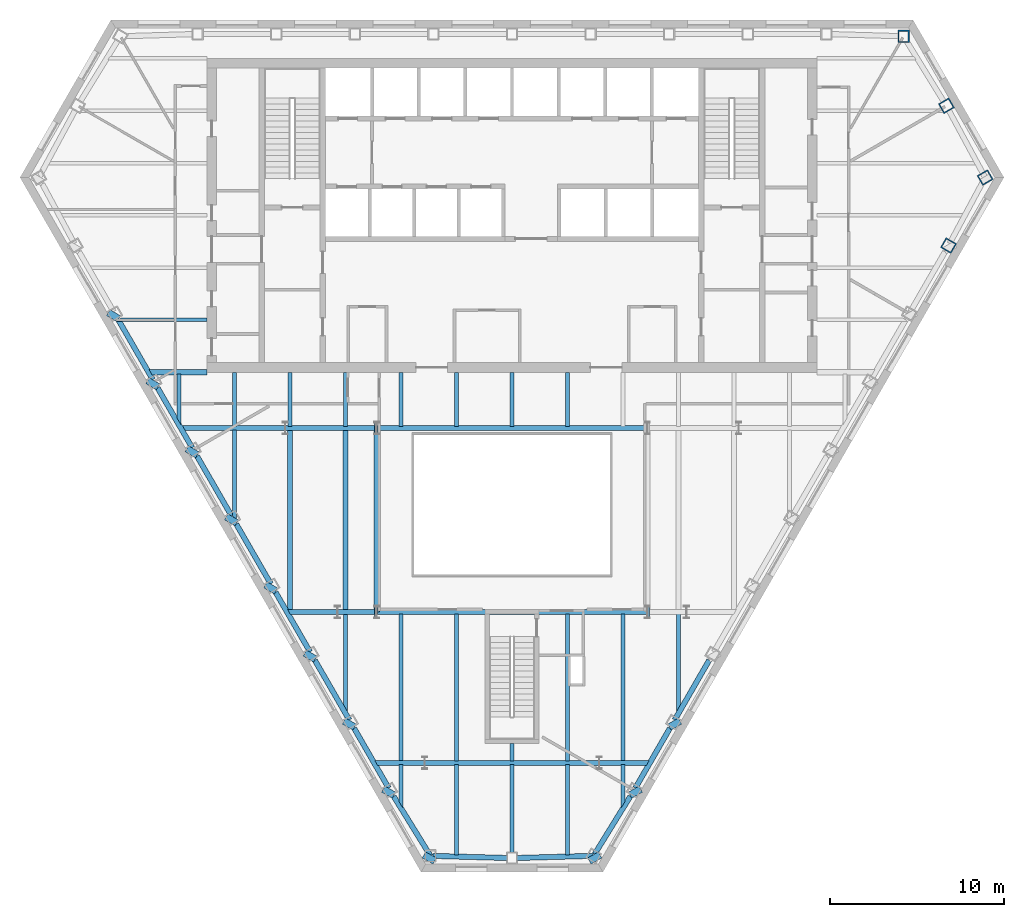
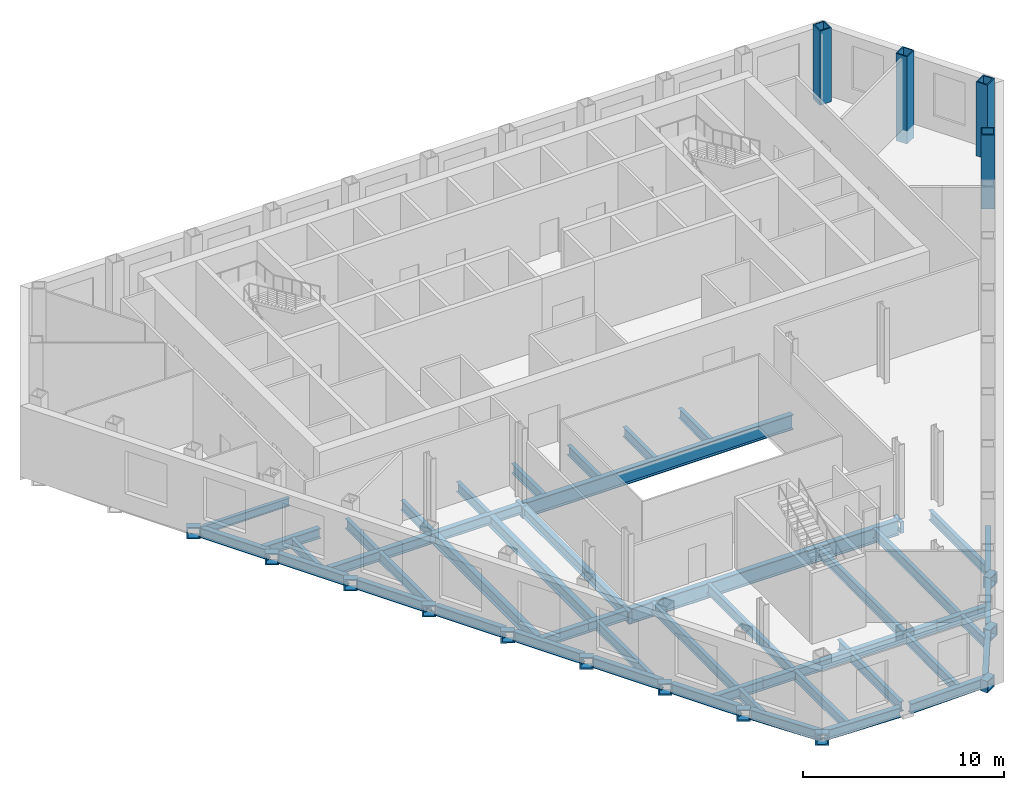
# One storey, part 2 of 11: 63 beams, 4 columns.
"""IFC4 building model written with IfcOpenShell, lengths in metres."""

from ifc_helpers import new_model, si_unit, direction, frame, origin, origin_2d, place, context, subcontext, project, spatial, hollow_rectangle, i_section, extrude, clip, halfspace, material, material_profile, profile_set, type_object, element, save


model = new_model("IFC4")

# Units and contexts
model_context = context("Model", 3, precision=1e-05, world=origin(), true_north=direction((0.0, 1.0)))
body_context = subcontext(model_context, "Body", "Model", "MODEL_VIEW")
ifc_project = project(units=[si_unit("LENGTHUNIT", "METRE"), si_unit("AREAUNIT", "SQUARE_METRE"), si_unit("VOLUMEUNIT", "CUBIC_METRE"), si_unit("PLANEANGLEUNIT", "RADIAN"), si_unit("MASSUNIT", "GRAM", prefix="KILO")], contexts=[model_context])

# Site, building, storey
site_placement = place(None, origin())
site = spatial("IfcSite", under=ifc_project, at=site_placement, CompositionType="ELEMENT")
building_placement = place(site_placement, origin())
building = spatial("IfcBuilding", under=site, at=building_placement, Name="Njiva Tower", CompositionType="ELEMENT")
storey_placement = place(building_placement, frame((0.0, 0.0, 84.3)))
storey = spatial("IfcBuildingStorey", under=building, at=storey_placement, Name="L17", CompositionType="ELEMENT", Elevation=84.3)

# Columns
ifc_material = material(Name="Steel S355 J2", Category="steel")
ifc_material_profile_1 = material_profile(ifc_material, hollow_rectangle(XDim=0.65, YDim=0.7, WallThickness=0.065, at=origin_2d()), Name="BOX 700x650x65")
ifc_profile_set_1 = profile_set([ifc_material_profile_1], Name="Steel S355 J2")
column_type = type_object("IfcColumnType", Name="C7 Perimeter tube column BOX 700x650x65", PredefinedType="COLUMN", material=ifc_profile_set_1)
for number, where, z_axis, x_axis, name in (
    (1, (22.456, 19.267, 0.0), (0.0, 0.0, 1.0), (-1.0, 0.0, 0.0), "Perimeter tube column S06-C01"),
    (2, (25.033, 7.265, 0.0), (0.0, 0.0, 1.0), (0.5, 0.866025403784, 0.0), "Perimeter tube column S06-C34"),
    (3, (27.133, 11.167, 0.0), (0.0, 0.0, 1.0), (-0.5, 0.866025403784, 0.0), "Perimeter tube column S06-C35"),
):
    element("IfcColumn", number, at=place(storey_placement, frame(where, z_axis=z_axis, x_axis=x_axis)), inside=storey, type_object=column_type, Name=name, PredefinedType="COLUMN", context=body_context, shape_type="SweptSolid", body=[
        extrude(hollow_rectangle(XDim=0.65, YDim=0.7, WallThickness=0.065, at=origin_2d()), origin(), (0.0, 0.0, 1.0), 4.5),
    ])
column_placement = place(storey_placement, frame((24.91, 15.284, -0.8), z_axis=(0.0, 0.0, 1.0), x_axis=(-0.5, 0.866025403784, 0.0)))
element("IfcColumn", 4, at=column_placement, inside=storey, type_object=column_type, Name="Perimeter tube column S06-C36", PredefinedType="COLUMN", context=body_context, shape_type="SweptSolid", body=[
    extrude(hollow_rectangle(XDim=0.65, YDim=0.7, WallThickness=0.065, at=origin_2d()), origin(), (0.0, 0.0, 1.0), 5.3),
])

# Beams
ifc_material_profile_2 = material_profile(ifc_material, i_section(OverallWidth=0.3, OverallDepth=0.69, WebThickness=0.0145, FlangeThickness=0.027, at=origin_2d()), Name="HEA 700")
ifc_profile_set_2 = profile_set([ifc_material_profile_2], Name="Steel S355 J2")
beam_type_1 = type_object("IfcBeamType", Name="B12 Long-span floor joist HEA 700", PredefinedType="JOIST", material=ifc_profile_set_2)
for number, where, z_axis, x_axis, name in (
    (5, (-12.733, -3.3, -0.545), (0.0, -1.0, 0.0), (1.0, 0.0, 0.0), "Long-span floor joist S06-B058"),
    (6, (-9.55, -3.3, -0.545), (0.0, -1.0, 0.0), (1.0, 0.0, 0.0), "Long-span floor joist S06-B061"),
):
    element("IfcBeam", number, at=place(storey_placement, frame(where, z_axis=z_axis, x_axis=x_axis)), inside=storey, type_object=beam_type_1, Name=name, PredefinedType="JOIST", context=body_context, shape_type="SweptSolid", body=[
        extrude(i_section(OverallWidth=0.3, OverallDepth=0.69, WebThickness=0.0145, FlangeThickness=0.027, at=origin_2d()), origin(), (0.0, 0.0, 1.0), 10.35),
    ])
ifc_material_profile_3 = material_profile(ifc_material, i_section(OverallWidth=0.22, OverallDepth=0.6, WebThickness=0.012, FlangeThickness=0.019, at=origin_2d()), Name="IPE 600")
ifc_profile_set_3 = profile_set([ifc_material_profile_3], Name="Steel S355 J2")
beam_type_2 = type_object("IfcBeamType", Name="B13 Floor joist IPE 600", PredefinedType="JOIST", material=ifc_profile_set_3)
beam_1_placement = place(storey_placement, frame((-15.917, -3.3, -0.5), z_axis=(0.0, -1.0, 0.0), x_axis=(1.0, 0.0, 0.0)))
element("IfcBeam", 7, at=beam_1_placement, inside=storey, type_object=beam_type_2, Name="Floor joist S06-B055", PredefinedType="JOIST", context=body_context, shape_type="Clipping", body=[
    clip(extrude(i_section(OverallWidth=0.22, OverallDepth=0.6, WebThickness=0.012, FlangeThickness=0.019, at=origin_2d()), origin(), (0.0, 0.0, 1.0), 5.312), halfspace(frame((-0.043, 0.0, 5.0263), z_axis=(-0.866026552831, 0.0, 0.499998009787), x_axis=(0.0, 1.0, 0.0)), False)),
])
beam_2_placement = place(storey_placement, frame((-9.55, -13.85, -0.5), z_axis=(0.0, -1.0, 0.0), x_axis=(1.0, 0.0, 0.0)))
element("IfcBeam", 8, at=beam_2_placement, inside=storey, type_object=beam_type_2, Name="Floor joist S06-B060", PredefinedType="JOIST", context=body_context, shape_type="Clipping", body=[
    clip(extrude(i_section(OverallWidth=0.22, OverallDepth=0.6, WebThickness=0.012, FlangeThickness=0.019, at=origin_2d()), origin(), (0.0, 0.0, 1.0), 5.714), halfspace(frame((-0.0433, 0.0, 5.4277), z_axis=(-0.866026552831, 0.0, 0.499998009787), x_axis=(0.0, 1.0, 0.0)), False)),
])
for number, where, z_axis, x_axis, name in (
    (9, (-6.367, -13.851, -0.5), (0.0, -1.0, 0.0), (1.0, 0.0, 0.0), "Floor joist S06-B064"),
    (10, (-3.183, -13.851, -0.5), (0.0, -1.0, 0.0), (1.0, 0.0, 0.0), "Floor joist S06-B067"),
):
    element("IfcBeam", number, at=place(storey_placement, frame(where, z_axis=z_axis, x_axis=x_axis)), inside=storey, type_object=beam_type_2, Name=name, PredefinedType="JOIST", context=body_context, shape_type="SweptSolid", body=[
        extrude(i_section(OverallWidth=0.22, OverallDepth=0.6, WebThickness=0.012, FlangeThickness=0.019, at=origin_2d()), origin(), (0.0, 0.0, 1.0), 8.449),
    ])
beam_3_placement = place(storey_placement, frame((-3.183, -22.5, -0.5), z_axis=(0.0, -1.0, 0.0), x_axis=(1.0, 0.0, 0.0)))
element("IfcBeam", 11, at=beam_3_placement, inside=storey, type_object=beam_type_2, Name="Floor joist S06-B066", PredefinedType="JOIST", context=body_context, shape_type="SweptSolid", body=[
    extrude(i_section(OverallWidth=0.22, OverallDepth=0.6, WebThickness=0.012, FlangeThickness=0.019, at=origin_2d()), origin(), (0.0, 0.0, 1.0), 5.168),
])
beam_4_placement = place(storey_placement, frame((0.0, -22.5, -0.5), z_axis=(0.0, -1.0, 0.0), x_axis=(1.0, 0.0, 0.0)))
element("IfcBeam", 12, at=beam_4_placement, inside=storey, type_object=beam_type_2, Name="Floor joist S06-B069", PredefinedType="JOIST", context=body_context, shape_type="SweptSolid", body=[
    extrude(i_section(OverallWidth=0.22, OverallDepth=0.6, WebThickness=0.012, FlangeThickness=0.019, at=origin_2d()), origin(), (0.0, 0.0, 1.0), 5.061),
])
beam_5_placement = place(storey_placement, frame((3.183, -13.851, -0.5), z_axis=(0.0, -1.0, 0.0), x_axis=(1.0, 0.0, 0.0)))
element("IfcBeam", 13, at=beam_5_placement, inside=storey, type_object=beam_type_2, Name="Floor joist S06-B073", PredefinedType="JOIST", context=body_context, shape_type="SweptSolid", body=[
    extrude(i_section(OverallWidth=0.22, OverallDepth=0.6, WebThickness=0.012, FlangeThickness=0.019, at=origin_2d()), origin(), (0.0, 0.0, 1.0), 8.449),
])
beam_6_placement = place(storey_placement, frame((3.183, -22.5, -0.5), z_axis=(0.0, -1.0, 0.0), x_axis=(1.0, 0.0, 0.0)))
element("IfcBeam", 14, at=beam_6_placement, inside=storey, type_object=beam_type_2, Name="Floor joist S06-B072", PredefinedType="JOIST", context=body_context, shape_type="SweptSolid", body=[
    extrude(i_section(OverallWidth=0.22, OverallDepth=0.6, WebThickness=0.012, FlangeThickness=0.019, at=origin_2d()), origin(), (0.0, 0.0, 1.0), 5.168),
])
beam_7_placement = place(storey_placement, frame((6.367, -13.851, -0.5), z_axis=(0.0, -1.0, 0.0), x_axis=(1.0, 0.0, 0.0)))
element("IfcBeam", 15, at=beam_7_placement, inside=storey, type_object=beam_type_2, Name="Floor joist S06-B076", PredefinedType="JOIST", context=body_context, shape_type="SweptSolid", body=[
    extrude(i_section(OverallWidth=0.22, OverallDepth=0.6, WebThickness=0.012, FlangeThickness=0.019, at=origin_2d()), origin(), (0.0, 0.0, 1.0), 8.449),
])
beam_8_placement = place(storey_placement, frame((9.55, -13.85, -0.5), z_axis=(0.0, -1.0, 0.0), x_axis=(1.0, 0.0, 0.0)))
element("IfcBeam", 16, at=beam_8_placement, inside=storey, type_object=beam_type_2, Name="Floor joist S06-B078", PredefinedType="JOIST", context=body_context, shape_type="Clipping", body=[
    clip(extrude(i_section(OverallWidth=0.22, OverallDepth=0.6, WebThickness=0.012, FlangeThickness=0.019, at=origin_2d()), origin(), (0.0, 0.0, 1.0), 5.714), halfspace(frame((0.0433, 0.0, 5.4277), z_axis=(0.866026552831, 0.0, 0.499998009787), x_axis=(0.0, 1.0, 0.0)), False)),
])
ifc_material_profile_4 = material_profile(ifc_material, i_section(OverallWidth=0.22, OverallDepth=0.6, WebThickness=0.012, FlangeThickness=0.019, at=origin_2d()), Name="IPE 600")
ifc_profile_set_4 = profile_set([ifc_material_profile_4], Name="Steel S355 J2")
beam_type_3 = type_object("IfcBeamType", Name="B14 Short-span floor joist IPE 600", PredefinedType="JOIST", material=ifc_profile_set_4)
beam_9_placement = place(storey_placement, frame((-19.1, -0.1, -0.5), z_axis=(0.0, -1.0, 0.0), x_axis=(1.0, 0.0, 0.0)))
element("IfcBeam", 17, at=beam_9_placement, inside=storey, type_object=beam_type_3, Name="Short-span floor joist S06-B054", PredefinedType="JOIST", context=body_context, shape_type="Clipping", body=[
    clip(extrude(i_section(OverallWidth=0.22, OverallDepth=0.6, WebThickness=0.012, FlangeThickness=0.019, at=origin_2d()), origin(), (0.0, 0.0, 1.0), 2.923), halfspace(frame((-0.0433, 0.0, 2.6366), z_axis=(-0.866026552831, 0.0, 0.499998009787), x_axis=(0.0, 1.0, 0.0)), False)),
])
for number, where, z_axis, x_axis, name in (
    (18, (-15.917, -0.005, -0.5), (0.0, -1.0, 0.0), (1.0, 0.0, 0.0), "Short-span floor joist S06-B057"),
    (19, (-12.733, -0.005, -0.5), (0.0, -1.0, 0.0), (1.0, 0.0, 0.0), "Short-span floor joist S06-B059"),
    (20, (-9.55, -0.005, -0.5), (0.0, -1.0, 0.0), (1.0, 0.0, 0.0), "Short-span floor joist S06-B062"),
):
    element("IfcBeam", number, at=place(storey_placement, frame(where, z_axis=z_axis, x_axis=x_axis)), inside=storey, type_object=beam_type_3, Name=name, PredefinedType="JOIST", context=body_context, shape_type="SweptSolid", body=[
        extrude(i_section(OverallWidth=0.22, OverallDepth=0.6, WebThickness=0.012, FlangeThickness=0.019, at=origin_2d()), origin(), (0.0, 0.0, 1.0), 3.095),
    ])
beam_10_placement = place(storey_placement, frame((-6.367, -0.005, -0.5), z_axis=(0.0, -1.0, 0.0), x_axis=(1.0, 0.0, 0.0)))
element("IfcBeam", 21, at=beam_10_placement, inside=storey, type_object=beam_type_3, Name="Short-span floor joist S06-B065", PredefinedType="JOIST", context=body_context, shape_type="SweptSolid", body=[
    extrude(i_section(OverallWidth=0.22, OverallDepth=0.6, WebThickness=0.012, FlangeThickness=0.019, at=origin_2d()), origin(), (0.0, 0.0, 1.0), 3.094),
])
beam_11_placement = place(storey_placement, frame((-6.367, -22.5, -0.5), z_axis=(0.0, -1.0, 0.0), x_axis=(1.0, 0.0, 0.0)))
element("IfcBeam", 22, at=beam_11_placement, inside=storey, type_object=beam_type_3, Name="Short-span floor joist S06-B063", PredefinedType="JOIST", context=body_context, shape_type="Clipping", body=[
    clip(extrude(i_section(OverallWidth=0.22, OverallDepth=0.6, WebThickness=0.012, FlangeThickness=0.019, at=origin_2d()), origin(), (0.0, 0.0, 1.0), 2.501), halfspace(frame((-0.0422, 0.0, 2.2343), z_axis=(-0.850615955969, 0.0, 0.525787500281), x_axis=(0.0, 1.0, 0.0)), False)),
])
for number, where, z_axis, x_axis, name in (
    (23, (-3.183, -0.005, -0.5), (0.0, -1.0, 0.0), (1.0, 0.0, 0.0), "Short-span floor joist S06-B068"),
    (24, (0.0, -0.005, -0.5), (0.0, -1.0, 0.0), (1.0, 0.0, 0.0), "Short-span floor joist S06-B071"),
):
    element("IfcBeam", number, at=place(storey_placement, frame(where, z_axis=z_axis, x_axis=x_axis)), inside=storey, type_object=beam_type_3, Name=name, PredefinedType="JOIST", context=body_context, shape_type="SweptSolid", body=[
        extrude(i_section(OverallWidth=0.22, OverallDepth=0.6, WebThickness=0.012, FlangeThickness=0.019, at=origin_2d()), origin(), (0.0, 0.0, 1.0), 3.094),
    ])
beam_12_placement = place(storey_placement, frame((0.0, -21.3, -0.5), z_axis=(0.0, -1.0, 0.0), x_axis=(1.0, 0.0, 0.0)))
element("IfcBeam", 25, at=beam_12_placement, inside=storey, type_object=beam_type_3, Name="Short-span floor joist S06-B070", PredefinedType="JOIST", context=body_context, shape_type="SweptSolid", body=[
    extrude(i_section(OverallWidth=0.22, OverallDepth=0.6, WebThickness=0.012, FlangeThickness=0.019, at=origin_2d()), origin(), (0.0, 0.0, 1.0), 1.0),
])
beam_13_placement = place(storey_placement, frame((3.183, -0.005, -0.5), z_axis=(0.0, -1.0, 0.0), x_axis=(1.0, 0.0, 0.0)))
element("IfcBeam", 26, at=beam_13_placement, inside=storey, type_object=beam_type_3, Name="Short-span floor joist S06-B074", PredefinedType="JOIST", context=body_context, shape_type="SweptSolid", body=[
    extrude(i_section(OverallWidth=0.22, OverallDepth=0.6, WebThickness=0.012, FlangeThickness=0.019, at=origin_2d()), origin(), (0.0, 0.0, 1.0), 3.094),
])
beam_14_placement = place(storey_placement, frame((6.367, -22.5, -0.5), z_axis=(0.0, -1.0, 0.0), x_axis=(1.0, 0.0, 0.0)))
element("IfcBeam", 27, at=beam_14_placement, inside=storey, type_object=beam_type_3, Name="Short-span floor joist S06-B075", PredefinedType="JOIST", context=body_context, shape_type="Clipping", body=[
    clip(extrude(i_section(OverallWidth=0.22, OverallDepth=0.6, WebThickness=0.012, FlangeThickness=0.019, at=origin_2d()), origin(), (0.0, 0.0, 1.0), 2.501), halfspace(frame((0.0422, 0.0, 2.2343), z_axis=(0.850615955969, 0.0, 0.525787500281), x_axis=(0.0, 1.0, 0.0)), False)),
])
ifc_material_profile_5 = material_profile(ifc_material, hollow_rectangle(XDim=0.7, YDim=0.7, WallThickness=0.08, at=origin_2d()), Name="BOX 700x700x80")
ifc_profile_set_5 = profile_set([ifc_material_profile_5], Name="Steel S355 J2")
beam_type_4 = type_object("IfcBeamType", Name="B19 Column jog beam BOX 700x700x80", PredefinedType="BEAM", material=ifc_profile_set_5)
beam_15_placement = place(storey_placement, frame((-22.949, 3.074, -0.55), z_axis=(0.505133089795, 0.863041459951, 0.0), x_axis=(-0.863041459951, 0.505133089795, 0.0)))
element("IfcBeam", 28, at=beam_15_placement, inside=storey, type_object=beam_type_4, Name="Column jog beam S06-B030", PredefinedType="BEAM", context=body_context, shape_type="SweptSolid", body=[
    extrude(hollow_rectangle(XDim=0.7, YDim=0.7, WallThickness=0.08, at=origin_2d()), origin(), (0.0, 0.0, 1.0), 0.394),
])
beam_16_placement = place(storey_placement, frame((-20.695, -0.83, -0.55), z_axis=(0.504028497348, 0.863687023094, 0.0), x_axis=(-0.863687023094, 0.504028497348, 0.0)))
element("IfcBeam", 29, at=beam_16_placement, inside=storey, type_object=beam_type_4, Name="Column jog beam S06-B031", PredefinedType="BEAM", context=body_context, shape_type="SweptSolid", body=[
    extrude(hollow_rectangle(XDim=0.7, YDim=0.7, WallThickness=0.08, at=origin_2d()), origin(), (0.0, 0.0, 1.0), 0.3948),
])
beam_17_placement = place(storey_placement, frame((-18.441, -4.733, -0.55), z_axis=(0.502135517387, 0.86478894661, 0.0), x_axis=(-0.86478894661, 0.502135517387, 0.0)))
element("IfcBeam", 30, at=beam_17_placement, inside=storey, type_object=beam_type_4, Name="Column jog beam S06-B032", PredefinedType="BEAM", context=body_context, shape_type="SweptSolid", body=[
    extrude(hollow_rectangle(XDim=0.7, YDim=0.7, WallThickness=0.08, at=origin_2d()), origin(), (0.0, 0.0, 1.0), 0.3943),
])
beam_18_placement = place(storey_placement, frame((-16.187, -8.637, -0.55), z_axis=(0.499137424967, 0.866522839282, 0.0), x_axis=(-0.866522839282, 0.499137424967, 0.0)))
element("IfcBeam", 31, at=beam_18_placement, inside=storey, type_object=beam_type_4, Name="Column jog beam S06-B033", PredefinedType="BEAM", context=body_context, shape_type="SweptSolid", body=[
    extrude(hollow_rectangle(XDim=0.7, YDim=0.7, WallThickness=0.08, at=origin_2d()), origin(), (0.0, 0.0, 1.0), 0.3947),
])
for number, where, z_axis, x_axis, name in (
    (32, (-13.933, -12.541, -0.55), (0.49804357169, 0.867152005532, 0.0), (-0.867152005532, 0.49804357169, 0.0), "Column jog beam S06-B034"),
    (33, (-11.68, -16.444, -0.55), (0.49804357169, 0.867152005532, 0.0), (-0.867152005532, 0.49804357169, 0.0), "Column jog beam S06-B035"),
):
    element("IfcBeam", number, at=place(storey_placement, frame(where, z_axis=z_axis, x_axis=x_axis)), inside=storey, type_object=beam_type_4, Name=name, PredefinedType="BEAM", context=body_context, shape_type="SweptSolid", body=[
        extrude(hollow_rectangle(XDim=0.7, YDim=0.7, WallThickness=0.08, at=origin_2d()), origin(), (0.0, 0.0, 1.0), 0.3955),
    ])
beam_19_placement = place(storey_placement, frame((-9.425, -20.348, -0.55), z_axis=(0.490141282398, 0.871643002203, 0.0), x_axis=(-0.871643002203, 0.490141282398, 0.0)))
element("IfcBeam", 34, at=beam_19_placement, inside=storey, type_object=beam_type_4, Name="Column jog beam S06-B036", PredefinedType="BEAM", context=body_context, shape_type="SweptSolid", body=[
    extrude(hollow_rectangle(XDim=0.7, YDim=0.7, WallThickness=0.08, at=origin_2d()), origin(), (0.0, 0.0, 1.0), 0.3958),
])
beam_20_placement = place(storey_placement, frame((-7.171, -24.252, -0.55), z_axis=(0.489063888163, 0.872247965486, 0.0), x_axis=(-0.872247965486, 0.489063888163, 0.0)))
element("IfcBeam", 35, at=beam_20_placement, inside=storey, type_object=beam_type_4, Name="Column jog beam S06-B039", PredefinedType="BEAM", context=body_context, shape_type="SweptSolid", body=[
    extrude(hollow_rectangle(XDim=0.7, YDim=0.7, WallThickness=0.08, at=origin_2d()), origin(), (0.0, 0.0, 1.0), 0.3967),
])
for number, where, z_axis, x_axis, name in (
    (36, (-4.84, -28.023, -0.55), (0.486070542908, 0.873919577145, 0.0), (-0.873919577145, 0.486070542908, 0.0), "Column jog beam S06-B040"),
    (37, (4.84, -28.023, -0.55), (-0.486070542908, 0.873919577145, 0.0), (-0.873919577145, -0.486070542908, 0.0), "Column jog beam S06-B041"),
):
    element("IfcBeam", number, at=place(storey_placement, frame(where, z_axis=z_axis, x_axis=x_axis)), inside=storey, type_object=beam_type_4, Name=name, PredefinedType="BEAM", context=body_context, shape_type="SweptSolid", body=[
        extrude(hollow_rectangle(XDim=0.7, YDim=0.7, WallThickness=0.08, at=origin_2d()), origin(), (0.0, 0.0, 1.0), 0.3971),
    ])
beam_21_placement = place(storey_placement, frame((7.171, -24.252, -0.55), z_axis=(-0.489063888163, 0.872247965486, 0.0), x_axis=(-0.872247965486, -0.489063888163, 0.0)))
element("IfcBeam", 38, at=beam_21_placement, inside=storey, type_object=beam_type_4, Name="Column jog beam S06-B042", PredefinedType="BEAM", context=body_context, shape_type="SweptSolid", body=[
    extrude(hollow_rectangle(XDim=0.7, YDim=0.7, WallThickness=0.08, at=origin_2d()), origin(), (0.0, 0.0, 1.0), 0.3967),
])
beam_22_placement = place(storey_placement, frame((9.425, -20.348, -0.55), z_axis=(-0.490141282398, 0.871643002203, 0.0), x_axis=(-0.871643002203, -0.490141282398, 0.0)))
element("IfcBeam", 39, at=beam_22_placement, inside=storey, type_object=beam_type_4, Name="Column jog beam S06-B045", PredefinedType="BEAM", context=body_context, shape_type="SweptSolid", body=[
    extrude(hollow_rectangle(XDim=0.7, YDim=0.7, WallThickness=0.08, at=origin_2d()), origin(), (0.0, 0.0, 1.0), 0.3958),
])
for number, where, z_axis, x_axis, name in (
    (40, (-7.89, -3.2, -0.55), (1.0, 0.0, 0.0), (0.0, 1.0, 0.0), "Column jog beam S06-B038"),
    (41, (7.89, -13.75, -0.55), (-1.0, 0.0, 0.0), (0.0, -1.0, 0.0), "Column jog beam S06-B043"),
    (42, (-7.89, -13.75, -0.55), (1.0, 0.0, 0.0), (0.0, 1.0, 0.0), "Column jog beam S06-B037"),
):
    element("IfcBeam", number, at=place(storey_placement, frame(where, z_axis=z_axis, x_axis=x_axis)), inside=storey, type_object=beam_type_4, Name=name, PredefinedType="BEAM", context=body_context, shape_type="SweptSolid", body=[
        extrude(hollow_rectangle(XDim=0.7, YDim=0.7, WallThickness=0.08, at=origin_2d()), origin(), (0.0, 0.0, 1.0), 0.19),
    ])
ifc_material_profile_6 = material_profile(ifc_material, i_section(OverallWidth=0.3, OverallDepth=0.6, WebThickness=0.0155, FlangeThickness=0.03, at=origin_2d()), Name="HEB 600")
ifc_profile_set_6 = profile_set([ifc_material_profile_6], Name="Steel S355 J2")
beam_type_5 = type_object("IfcBeamType", Name="B20 Floor girder HEB 600", PredefinedType="BEAM", material=ifc_profile_set_6)
beam_23_placement = place(storey_placement, frame((-18.983, -3.2, -0.5), z_axis=(1.0, 0.0, 0.0), x_axis=(0.0, 1.0, 0.0)))
element("IfcBeam", 43, at=beam_23_placement, inside=storey, type_object=beam_type_5, Name="Floor girder S06-B016", PredefinedType="BEAM", context=body_context, shape_type="Clipping", body=[
    clip(extrude(i_section(OverallWidth=0.3, OverallDepth=0.6, WebThickness=0.0155, FlangeThickness=0.03, at=origin_2d()), origin(), (0.0, 0.0, 1.0), 5.983), halfspace(frame((-0.025, 0.0, 0.1217), z_axis=(-0.499998009787, 0.0, -0.866026552831), x_axis=(0.0, -1.0, 0.0)), False)),
])
beam_24_placement = place(storey_placement, frame((-13.0, -3.2, -0.5), z_axis=(1.0, 0.0, 0.0), x_axis=(0.0, 1.0, 0.0)))
element("IfcBeam", 44, at=beam_24_placement, inside=storey, type_object=beam_type_5, Name="Floor girder S06-B017", PredefinedType="BEAM", context=body_context, shape_type="SweptSolid", body=[
    extrude(i_section(OverallWidth=0.3, OverallDepth=0.6, WebThickness=0.0155, FlangeThickness=0.03, at=origin_2d()), origin(), (0.0, 0.0, 1.0), 5.24),
])
ifc_material_profile_7 = material_profile(ifc_material, i_section(OverallWidth=0.3, OverallDepth=0.6, WebThickness=0.0155, FlangeThickness=0.03, at=origin_2d()), Name="HEB 600")
ifc_profile_set_7 = profile_set([ifc_material_profile_7], Name="Steel S355 J2")
beam_type_6 = type_object("IfcBeamType", Name="B21 Short-span floor girder HEB 600", PredefinedType="BEAM", material=ifc_profile_set_7)
beam_25_placement = place(storey_placement, frame((-12.892, -13.75, -0.5), z_axis=(1.0, 0.0, 0.0), x_axis=(0.0, 1.0, 0.0)))
element("IfcBeam", 45, at=beam_25_placement, inside=storey, type_object=beam_type_6, Name="Short-span floor girder S06-B018", PredefinedType="BEAM", context=body_context, shape_type="Clipping", body=[
    clip(extrude(i_section(OverallWidth=0.3, OverallDepth=0.6, WebThickness=0.0155, FlangeThickness=0.03, at=origin_2d()), origin(), (0.0, 0.0, 1.0), 2.892), halfspace(frame((-0.025, 0.0, 0.1217), z_axis=(-0.499998009787, 0.0, -0.866026552831), x_axis=(0.0, -1.0, 0.0)), False)),
])
beam_26_placement = place(storey_placement, frame((-10.0, -13.75, -0.5), z_axis=(1.0, 0.0, 0.0), x_axis=(0.0, 1.0, 0.0)))
element("IfcBeam", 46, at=beam_26_placement, inside=storey, type_object=beam_type_6, Name="Short-span floor girder S06-B019", PredefinedType="BEAM", context=body_context, shape_type="SweptSolid", body=[
    extrude(i_section(OverallWidth=0.3, OverallDepth=0.6, WebThickness=0.0155, FlangeThickness=0.03, at=origin_2d()), origin(), (0.0, 0.0, 1.0), 2.24),
])
beam_27_placement = place(storey_placement, frame((-7.898, -22.4, -0.5), z_axis=(1.0, 0.0, 0.0), x_axis=(0.0, 1.0, 0.0)))
element("IfcBeam", 47, at=beam_27_placement, inside=storey, type_object=beam_type_6, Name="Short-span floor girder S06-B020", PredefinedType="BEAM", context=body_context, shape_type="Clipping", body=[
    clip(extrude(i_section(OverallWidth=0.3, OverallDepth=0.6, WebThickness=0.0155, FlangeThickness=0.03, at=origin_2d()), origin(), (0.0, 0.0, 1.0), 2.898), halfspace(frame((-0.025, 0.0, 0.1218), z_axis=(-0.499998009787, 0.0, -0.866026552831), x_axis=(0.0, -1.0, 0.0)), False)),
])
beam_28_placement = place(storey_placement, frame((5.0, -22.4, -0.5), z_axis=(1.0, 0.0, 0.0), x_axis=(0.0, 1.0, 0.0)))
element("IfcBeam", 48, at=beam_28_placement, inside=storey, type_object=beam_type_6, Name="Short-span floor girder S06-B022", PredefinedType="BEAM", context=body_context, shape_type="Clipping", body=[
    clip(extrude(i_section(OverallWidth=0.3, OverallDepth=0.6, WebThickness=0.0155, FlangeThickness=0.03, at=origin_2d()), origin(), (0.0, 0.0, 1.0), 2.898), halfspace(frame((-0.025, 0.0, 2.7762), z_axis=(-0.499998009787, 0.0, 0.866026552831), x_axis=(0.0, 1.0, 0.0)), False)),
])
beam_29_placement = place(storey_placement, frame((-20.83, 0.0, -0.5), z_axis=(1.0, 0.0, 0.0), x_axis=(0.0, 1.0, 0.0)))
element("IfcBeam", 49, at=beam_29_placement, inside=storey, type_object=beam_type_6, Name="Short-span floor girder S06-B015", PredefinedType="BEAM", context=body_context, shape_type="Clipping", body=[
    clip(extrude(i_section(OverallWidth=0.3, OverallDepth=0.6, WebThickness=0.0155, FlangeThickness=0.03, at=origin_2d()), origin(), (0.0, 0.0, 1.0), 3.33), halfspace(frame((-0.025, 0.0, 0.1211), z_axis=(-0.499998009787, 0.0, -0.866026552831), x_axis=(0.0, -1.0, 0.0)), False)),
])
ifc_material_profile_8 = material_profile(ifc_material, i_section(OverallWidth=0.3, OverallDepth=0.6, WebThickness=0.0155, FlangeThickness=0.03, at=origin_2d()), Name="HEB 600")
ifc_profile_set_8 = profile_set([ifc_material_profile_8], Name="Steel S355 J2")
beam_type_7 = type_object("IfcBeamType", Name="B22 Long-span floor girder HEB 600", PredefinedType="BEAM", material=ifc_profile_set_8)
beam_30_placement = place(storey_placement, frame((-5.0, -22.4, -0.5), z_axis=(1.0, 0.0, 0.0), x_axis=(0.0, 1.0, 0.0)))
element("IfcBeam", 50, at=beam_30_placement, inside=storey, type_object=beam_type_7, Name="Long-span floor girder S06-B021", PredefinedType="BEAM", context=body_context, shape_type="SweptSolid", body=[
    extrude(i_section(OverallWidth=0.3, OverallDepth=0.6, WebThickness=0.0155, FlangeThickness=0.03, at=origin_2d()), origin(), (0.0, 0.0, 1.0), 10.0),
])
ifc_material_profile_9 = material_profile(ifc_material, i_section(OverallWidth=0.3, OverallDepth=0.6, WebThickness=0.0155, FlangeThickness=0.03, at=origin_2d()), Name="HEB 600")
ifc_profile_set_9 = profile_set([ifc_material_profile_9], Name="Steel S355 J2")
beam_type_8 = type_object("IfcBeamType", Name="B23 Long-span atrium trimmer beam HEB 600", PredefinedType="BEAM", material=ifc_profile_set_9)
beam_31_placement = place(storey_placement, frame((-7.76, -3.2, -0.5), z_axis=(0.0, -1.0, 0.0), x_axis=(1.0, 0.0, 0.0)))
element("IfcBeam", 51, at=beam_31_placement, inside=storey, type_object=beam_type_8, Name="Long-span atrium trimmer beam S06-B087", PredefinedType="BEAM", context=body_context, shape_type="SweptSolid", body=[
    extrude(i_section(OverallWidth=0.3, OverallDepth=0.6, WebThickness=0.0155, FlangeThickness=0.03, at=origin_2d()), origin(), (0.0, 0.0, 1.0), 10.55),
])
ifc_material_profile_10 = material_profile(ifc_material, i_section(OverallWidth=0.2, OverallDepth=0.5, WebThickness=0.0102, FlangeThickness=0.016, at=origin_2d()), Name="IPE 500")
ifc_profile_set_10 = profile_set([ifc_material_profile_10], Name="Steel S355 J2")
beam_type_9 = type_object("IfcBeamType", Name="B24 Floor beam to the core IPE 500", PredefinedType="BEAM", material=ifc_profile_set_10)
beam_32_placement = place(storey_placement, frame((-22.78, 3.0, -0.45), z_axis=(1.0, 0.0, 0.0), x_axis=(0.0, 1.0, 0.0)))
element("IfcBeam", 52, at=beam_32_placement, inside=storey, type_object=beam_type_9, Name="Floor beam to the core S06-B006", PredefinedType="BEAM", context=body_context, shape_type="Clipping", body=[
    clip(extrude(i_section(OverallWidth=0.2, OverallDepth=0.5, WebThickness=0.0102, FlangeThickness=0.016, at=origin_2d()), origin(), (0.0, 0.0, 1.0), 5.28), halfspace(frame((0.0433, 0.0, 0.2678), z_axis=(0.866026552831, 0.0, -0.499998009787), x_axis=(0.0, -1.0, 0.0)), False)),
])
ifc_material_profile_11 = material_profile(ifc_material, i_section(OverallWidth=0.3, OverallDepth=0.6, WebThickness=0.0155, FlangeThickness=0.03, at=origin_2d()), Name="HEB 600")
ifc_profile_set_11 = profile_set([ifc_material_profile_11], Name="Steel S355 J2")
beam_type_10 = type_object("IfcBeamType", Name="B3 Short-span spandrel beam HEB 600", PredefinedType="SPANDREL", material=ifc_profile_set_11)
beam_33_placement = place(storey_placement, frame((-22.575, 3.007, -0.5), z_axis=(0.499970304126, -0.866042548026, 0.0), x_axis=(0.866042548026, 0.499970304126, 0.0)))
element("IfcBeam", 53, at=beam_33_placement, inside=storey, type_object=beam_type_10, Name="Short-span spandrel beam S06-B101", PredefinedType="SPANDREL", context=body_context, shape_type="SweptSolid", body=[
    extrude(i_section(OverallWidth=0.3, OverallDepth=0.6, WebThickness=0.0155, FlangeThickness=0.03, at=origin_2d()), origin(), (0.0, 0.0, 1.0), 3.9582),
])
beam_34_placement = place(storey_placement, frame((-20.321, -0.897, -0.5), z_axis=(0.500079715141, -0.865979375335, 0.0), x_axis=(0.865979375335, 0.500079715141, 0.0)))
element("IfcBeam", 54, at=beam_34_placement, inside=storey, type_object=beam_type_10, Name="Short-span spandrel beam S06-B105", PredefinedType="SPANDREL", context=body_context, shape_type="SweptSolid", body=[
    extrude(i_section(OverallWidth=0.3, OverallDepth=0.6, WebThickness=0.0155, FlangeThickness=0.03, at=origin_2d()), origin(), (0.0, 0.0, 1.0), 3.9574),
])
for number, where, z_axis, x_axis, name in (
    (55, (-18.067, -4.8, -0.5), (0.499970304126, -0.866042548026, 0.0), (0.866042548026, 0.499970304126, 0.0), "Short-span spandrel beam S06-B107"),
    (56, (-15.813, -8.704, -0.5), (0.499970304126, -0.866042548026, 0.0), (0.866042548026, 0.499970304126, 0.0), "Short-span spandrel beam S06-B111"),
):
    element("IfcBeam", number, at=place(storey_placement, frame(where, z_axis=z_axis, x_axis=x_axis)), inside=storey, type_object=beam_type_10, Name=name, PredefinedType="SPANDREL", context=body_context, shape_type="SweptSolid", body=[
        extrude(i_section(OverallWidth=0.3, OverallDepth=0.6, WebThickness=0.0155, FlangeThickness=0.03, at=origin_2d()), origin(), (0.0, 0.0, 1.0), 3.9582),
    ])
beam_35_placement = place(storey_placement, frame((-13.559, -12.608, -0.5), z_axis=(0.499890179513, -0.866088799389, 0.0), x_axis=(0.866088799389, 0.499890179513, 0.0)))
element("IfcBeam", 57, at=beam_35_placement, inside=storey, type_object=beam_type_10, Name="Short-span spandrel beam S06-B113", PredefinedType="SPANDREL", context=body_context, shape_type="SweptSolid", body=[
    extrude(i_section(OverallWidth=0.3, OverallDepth=0.6, WebThickness=0.0155, FlangeThickness=0.03, at=origin_2d()), origin(), (0.0, 0.0, 1.0), 3.9569),
])
for number, where, z_axis, x_axis, name in (
    (58, (-11.306, -16.511, -0.5), (0.499970304126, -0.866042548026, 0.0), (0.866042548026, 0.499970304126, 0.0), "Short-span spandrel beam S06-B116"),
    (59, (-9.052, -20.415, -0.5), (0.499970304126, -0.866042548026, 0.0), (0.866042548026, 0.499970304126, 0.0), "Short-span spandrel beam S06-B118"),
):
    element("IfcBeam", number, at=place(storey_placement, frame(where, z_axis=z_axis, x_axis=x_axis)), inside=storey, type_object=beam_type_10, Name=name, PredefinedType="SPANDREL", context=body_context, shape_type="SweptSolid", body=[
        extrude(i_section(OverallWidth=0.3, OverallDepth=0.6, WebThickness=0.0155, FlangeThickness=0.03, at=origin_2d()), origin(), (0.0, 0.0, 1.0), 3.9582),
    ])
beam_36_placement = place(storey_placement, frame((-6.786, -24.315, -0.5), z_axis=(0.525708722939, -0.850664645219, 0.0), x_axis=(0.850664645219, 0.525708722939, 0.0)))
element("IfcBeam", 60, at=beam_36_placement, inside=storey, type_object=beam_type_10, Name="Short-span spandrel beam S06-B121", PredefinedType="SPANDREL", context=body_context, shape_type="Clipping", body=[
    clip(extrude(i_section(OverallWidth=0.3, OverallDepth=0.6, WebThickness=0.0155, FlangeThickness=0.03, at=origin_2d()), origin(), (0.0, 0.0, 1.0), 4.0582), halfspace(frame((-0.0259, 0.0, 3.9292), z_axis=(-0.525708722939, 0.0, 0.850664645219), x_axis=(0.0, 1.0, 0.0)), False)),
])
beam_37_placement = place(storey_placement, frame((-4.532, -27.732, -0.5), z_axis=(0.999595529894, -0.028438998147, 0.0), x_axis=(0.028438998147, 0.999595529894, 0.0)))
element("IfcBeam", 61, at=beam_37_placement, inside=storey, type_object=beam_type_10, Name="Short-span spandrel beam S06-B122", PredefinedType="SPANDREL", context=body_context, shape_type="SweptSolid", body=[
    extrude(i_section(OverallWidth=0.3, OverallDepth=0.6, WebThickness=0.0155, FlangeThickness=0.03, at=origin_2d()), origin(), (0.0, 0.0, 1.0), 4.2547),
])
beam_38_placement = place(storey_placement, frame((0.279, -27.853, -0.5), z_axis=(0.999595848067, 0.028427812558, 0.0), x_axis=(-0.028427812558, 0.999595848067, 0.0)))
element("IfcBeam", 62, at=beam_38_placement, inside=storey, type_object=beam_type_10, Name="Short-span spandrel beam S06-B127", PredefinedType="SPANDREL", context=body_context, shape_type="Clipping", body=[
    clip(extrude(i_section(OverallWidth=0.3, OverallDepth=0.6, WebThickness=0.0155, FlangeThickness=0.03, at=origin_2d()), origin(), (0.0, 0.0, 1.0), 4.4387), halfspace(frame((-0.0263, 0.0, 4.3103), z_axis=(-0.524415175139, 0.0, 0.851462696825), x_axis=(0.0, 1.0, 0.0)), False)),
])
beam_39_placement = place(storey_placement, frame((4.748, -27.613, -0.5), z_axis=(0.525679579042, 0.850682655388, 0.0), x_axis=(-0.850682655388, 0.525679579042, 0.0)))
element("IfcBeam", 63, at=beam_39_placement, inside=storey, type_object=beam_type_10, Name="Short-span spandrel beam S06-B128", PredefinedType="SPANDREL", context=body_context, shape_type="SweptSolid", body=[
    extrude(i_section(OverallWidth=0.3, OverallDepth=0.6, WebThickness=0.0155, FlangeThickness=0.03, at=origin_2d()), origin(), (0.0, 0.0, 1.0), 3.8769),
])
for number, where, z_axis, x_axis, name in (
    (64, (7.073, -23.843, -0.5), (0.499970304126, 0.866042548026, 0.0), (-0.866042548026, 0.499970304126, 0.0), "Short-span spandrel beam S06-B131"),
    (65, (9.327, -19.939, -0.5), (0.499970304126, 0.866042548026, 0.0), (-0.866042548026, 0.499970304126, 0.0), "Short-span spandrel beam S06-B134"),
):
    element("IfcBeam", number, at=place(storey_placement, frame(where, z_axis=z_axis, x_axis=x_axis)), inside=storey, type_object=beam_type_10, Name=name, PredefinedType="SPANDREL", context=body_context, shape_type="SweptSolid", body=[
        extrude(i_section(OverallWidth=0.3, OverallDepth=0.6, WebThickness=0.0155, FlangeThickness=0.03, at=origin_2d()), origin(), (0.0, 0.0, 1.0), 3.9582),
    ])
ifc_material_profile_12 = material_profile(ifc_material, i_section(OverallWidth=0.302, OverallDepth=0.91, WebThickness=0.021, FlangeThickness=0.04, at=origin_2d()), Name="HEM 900")
ifc_profile_set_12 = profile_set([ifc_material_profile_12], Name="Steel S355 J2")
beam_type_11 = type_object("IfcBeamType", Name="B8 Long-span atrium trimmer beam HEM 900", PredefinedType="BEAM", material=ifc_profile_set_12)
for number, where, z_axis, x_axis, name in (
    (66, (-7.76, -13.75, -0.655), (1.0, 0.0, 0.0), (0.0, 1.0, 0.0), "Long-span atrium trimmer beam S06-B088"),
    (67, (7.76, -3.2, -0.655), (-1.0, 0.0, 0.0), (0.0, -1.0, 0.0), "Long-span atrium trimmer beam S06-B090"),
):
    element("IfcBeam", number, at=place(storey_placement, frame(where, z_axis=z_axis, x_axis=x_axis)), inside=storey, type_object=beam_type_11, Name=name, PredefinedType="BEAM", context=body_context, shape_type="SweptSolid", body=[
        extrude(i_section(OverallWidth=0.302, OverallDepth=0.91, WebThickness=0.021, FlangeThickness=0.04, at=origin_2d()), origin(), (0.0, 0.0, 1.0), 15.52),
    ])

save(model, "model.ifc")
